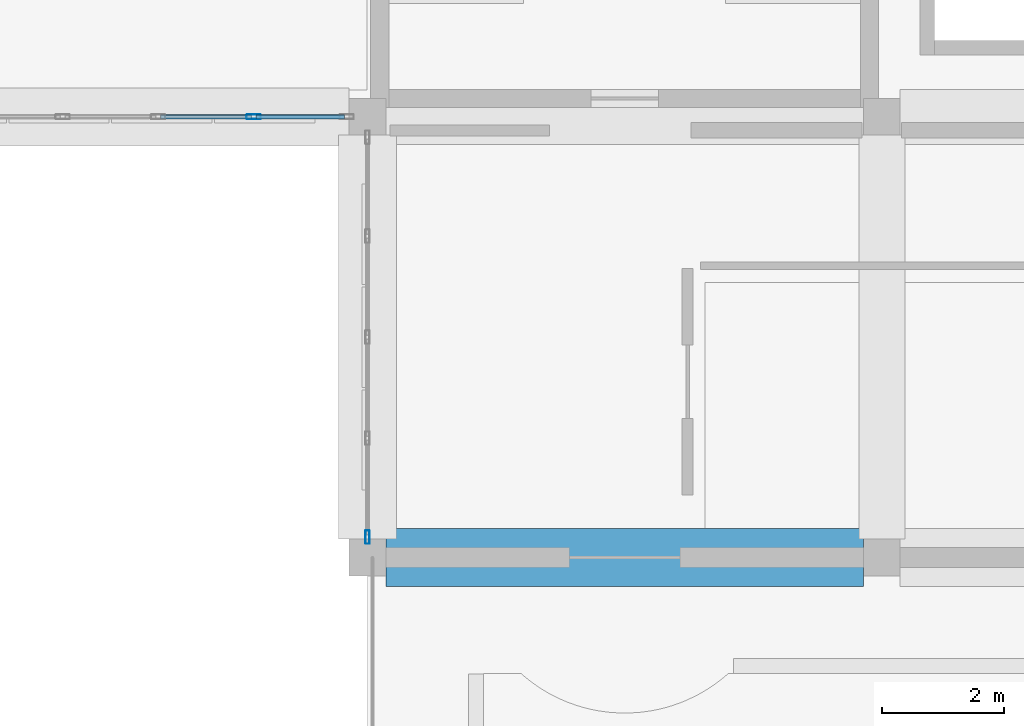
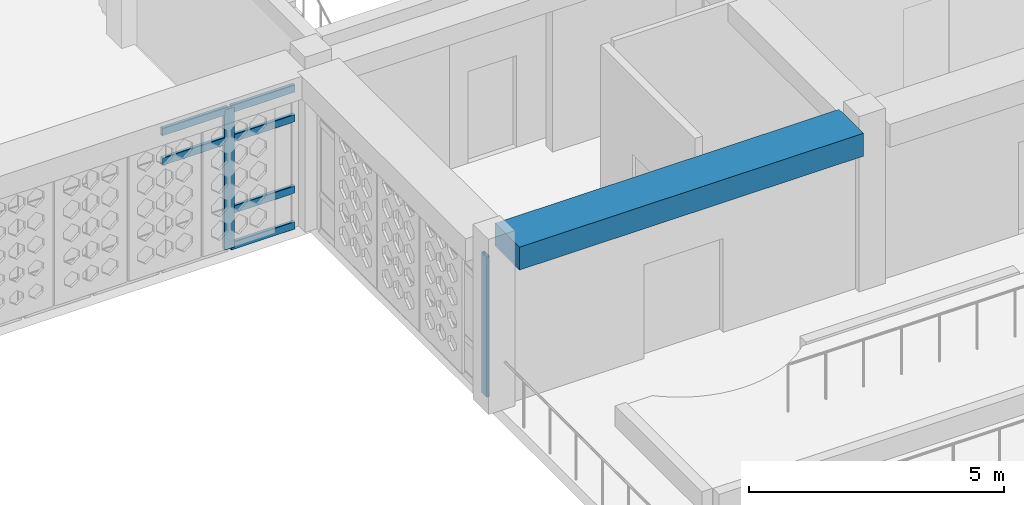
# One storey, part 3 of 48: 8 members, 1 beam, 2 elements without a shape of their own.
"""IFC4 building model written with IfcOpenShell, lengths in metres."""

from ifc_helpers import new_model, si_unit, derived_unit, direction, frame, origin, origin_2d, place, context, subcontext, project, spatial, rectangle, hollow_rectangle, extrude, material, material_profile, profile_set, type_object, element, aggregate, save


model = new_model("IFC4")

# Units and contexts
model_context = context("Model", 3, precision=1e-05, world=origin(), true_north=direction((0.0, 1.0)))
body_context = subcontext(model_context, "Body", "Model", "MODEL_VIEW")
ifc_project = project(units=[si_unit("LENGTHUNIT", "METRE"), si_unit("AREAUNIT", "SQUARE_METRE"), si_unit("VOLUMEUNIT", "CUBIC_METRE"), si_unit("PLANEANGLEUNIT", "RADIAN"), si_unit("MASSUNIT", "GRAM", prefix="KILO"), derived_unit("THERMALTRANSMITTANCEUNIT", [(si_unit("POWERUNIT", "WATT"), 1), (si_unit("LENGTHUNIT", "METRE"), -2), (si_unit("THERMODYNAMICTEMPERATUREUNIT", "KELVIN"), -1)])], contexts=[model_context])

# Site, building, storey
site_placement = place(None, origin())
site = spatial("IfcSite", under=ifc_project, at=site_placement, CompositionType="ELEMENT")
building_placement = place(site_placement, origin())
building = spatial("IfcBuilding", under=site, at=building_placement, Name="Veybourne Emporium", CompositionType="ELEMENT")
storey_placement = place(building_placement, frame((0.0, 0.0, 27.89990234375)))
storey = spatial("IfcBuildingStorey", under=building, at=storey_placement, Name="L06", CompositionType="ELEMENT", Elevation=27.89990234375)

# Curtain wall, member
ifc_material_1 = material(Name="Patinated Architectural Bronze", Category="bronze")
curtain_wall_type_1 = type_object("IfcCurtainWallType", Name="CWSystem_CWS-15", PredefinedType="NOTDEFINED", material=ifc_material_1)
curtain_wall_1_placement = place(storey_placement, origin())
curtain_wall_1 = element("IfcCurtainWall", 1, at=curtain_wall_1_placement, inside=storey, type_object=curtain_wall_type_1, Name="L06 bronze glazed curtain wall CWS-15 (008)", PredefinedType="NOTDEFINED")
ifc_material_profile_1 = material_profile(ifc_material_1, hollow_rectangle(XDim=0.077880859375, YDim=0.235107421875, WallThickness=0.0048828125, InnerFilletRadius=0.007568359375, OuterFilletRadius=0.012451171875, at=origin_2d()), Name="CWM 78x235x5")
ifc_profile_set_1 = profile_set([ifc_material_profile_1], Name="Patinated Architectural Bronze")
member_type_1 = type_object("IfcMemberType", Name="CWMullion_CW-M3", PredefinedType="MULLION", material=ifc_profile_set_1)
member_1_placement = place(storey_placement, frame((14.93994140625, 14.39990234375, 0.0), z_axis=(0.0, 0.0, 1.0), x_axis=(0.0, -1.0, 0.0)))
member_1 = element("IfcMember", 2, at=member_1_placement, type_object=member_type_1, Name="CWS-15 mullion 2", PredefinedType="MULLION", context=body_context, shape_type="SweptSolid", body=[
    extrude(hollow_rectangle(XDim=0.077880859375, YDim=0.235107421875, WallThickness=0.0048828125, InnerFilletRadius=0.007568359375, OuterFilletRadius=0.012451171875, at=origin_2d()), origin(), (0.0, 0.0, 1.0), 3.360107421875),
])

curtain_wall_type_2 = type_object("IfcCurtainWallType", Name="CWSystem_CWS-16", PredefinedType="NOTDEFINED", material=ifc_material_1)
curtain_wall_2_placement = place(storey_placement, origin())
curtain_wall_2 = element("IfcCurtainWall", 3, at=curtain_wall_2_placement, inside=storey, type_object=curtain_wall_type_2, Name="L06 bronze glazed curtain wall CWS-16 (011)", PredefinedType="NOTDEFINED")
ifc_material_profile_2 = material_profile(ifc_material_1, hollow_rectangle(XDim=0.070068359375, YDim=0.219970703125, WallThickness=0.0048828125, InnerFilletRadius=0.007568359375, OuterFilletRadius=0.012451171875, at=origin_2d()), Name="CWM 70x220x5")
ifc_profile_set_2 = profile_set([ifc_material_profile_2], Name="Patinated Architectural Bronze")
member_type_2 = type_object("IfcMemberType", Name="CWMullion_CW-M4", PredefinedType="MULLION", material=ifc_profile_set_2)
member_2_placement = place(storey_placement, frame((16.800048828125, 7.534912109375, 0.0), z_axis=(0.0, 0.0, 1.0), x_axis=(-1.0, 0.0, 0.0)))
member_2 = element("IfcMember", 4, at=member_2_placement, type_object=member_type_2, Name="CWS-16 mullion 1", PredefinedType="MULLION", context=body_context, shape_type="SweptSolid", body=[
    extrude(hollow_rectangle(XDim=0.070068359375, YDim=0.219970703125, WallThickness=0.0048828125, InnerFilletRadius=0.007568359375, OuterFilletRadius=0.012451171875, at=origin_2d()), origin(), (0.0, 0.0, 1.0), 3.360107421875),
])
aggregate(curtain_wall_2, [member_2])

# Member
ifc_material_profile_3 = material_profile(ifc_material_1, hollow_rectangle(XDim=0.077880859375, YDim=0.18505859375, WallThickness=0.0048828125, InnerFilletRadius=0.007568359375, OuterFilletRadius=0.012451171875, at=origin_2d()), Name="CWT 78x185x5")
ifc_profile_set_3 = profile_set([ifc_material_profile_3], Name="Patinated Architectural Bronze")
member_type_3 = type_object("IfcMemberType", Name="CWTransom_CW-T3", PredefinedType="NOTDEFINED", material=ifc_profile_set_3)
member_3_placement = place(storey_placement, frame((16.422119140625, 14.39990234375, 0.0390625), z_axis=(-1.0, 0.0, 0.0), x_axis=(0.0, -1.0, 0.0)))
member_3 = element("IfcMember", 5, at=member_3_placement, type_object=member_type_3, Name="CWS-15 transom 1.1", ObjectType="TRANSOM", PredefinedType="USERDEFINED", context=body_context, shape_type="SweptSolid", body=[
    extrude(hollow_rectangle(XDim=0.077880859375, YDim=0.18505859375, WallThickness=0.0048828125, InnerFilletRadius=0.007568359375, OuterFilletRadius=0.012451171875, at=origin_2d()), origin(), (0.0, 0.0, 1.0), 1.443115234375),
])

member_4_placement = place(storey_placement, frame((16.422119140625, 14.39990234375, 0.900146484375), z_axis=(-1.0, 0.0, 0.0), x_axis=(0.0, -1.0, 0.0)))
member_4 = element("IfcMember", 6, at=member_4_placement, type_object=member_type_3, Name="CWS-15 transom 1.2", ObjectType="TRANSOM", PredefinedType="USERDEFINED", context=body_context, shape_type="SweptSolid", body=[
    extrude(hollow_rectangle(XDim=0.077880859375, YDim=0.18505859375, WallThickness=0.0048828125, InnerFilletRadius=0.007568359375, OuterFilletRadius=0.012451171875, at=origin_2d()), origin(), (0.0, 0.0, 1.0), 1.443115234375),
])

member_5_placement = place(storey_placement, frame((16.422119140625, 14.39990234375, 2.610107421875), z_axis=(-1.0, 0.0, 0.0), x_axis=(0.0, -1.0, 0.0)))
member_5 = element("IfcMember", 7, at=member_5_placement, type_object=member_type_3, Name="CWS-15 transom 1.3", ObjectType="TRANSOM", PredefinedType="USERDEFINED", context=body_context, shape_type="SweptSolid", body=[
    extrude(hollow_rectangle(XDim=0.077880859375, YDim=0.18505859375, WallThickness=0.0048828125, InnerFilletRadius=0.007568359375, OuterFilletRadius=0.012451171875, at=origin_2d()), origin(), (0.0, 0.0, 1.0), 1.443115234375),
])

member_6_placement = place(storey_placement, frame((16.422119140625, 14.39990234375, 3.321044921875), z_axis=(-1.0, 0.0, 0.0), x_axis=(0.0, -1.0, 0.0)))
member_6 = element("IfcMember", 8, at=member_6_placement, type_object=member_type_3, Name="CWS-15 transom 1.4", ObjectType="TRANSOM", PredefinedType="USERDEFINED", context=body_context, shape_type="SweptSolid", body=[
    extrude(hollow_rectangle(XDim=0.077880859375, YDim=0.18505859375, WallThickness=0.0048828125, InnerFilletRadius=0.007568359375, OuterFilletRadius=0.012451171875, at=origin_2d()), origin(), (0.0, 0.0, 1.0), 1.443115234375),
])

member_7_placement = place(storey_placement, frame((14.90087890625, 14.39990234375, 2.610107421875), z_axis=(-1.0, 0.0, 0.0), x_axis=(0.0, -1.0, 0.0)))
member_7 = element("IfcMember", 9, at=member_7_placement, type_object=member_type_3, Name="CWS-15 transom 2.3", ObjectType="TRANSOM", PredefinedType="USERDEFINED", context=body_context, shape_type="SweptSolid", body=[
    extrude(hollow_rectangle(XDim=0.077880859375, YDim=0.18505859375, WallThickness=0.0048828125, InnerFilletRadius=0.007568359375, OuterFilletRadius=0.012451171875, at=origin_2d()), origin(), (0.0, 0.0, 1.0), 1.48193359375),
])

member_8_placement = place(storey_placement, frame((14.90087890625, 14.39990234375, 3.321044921875), z_axis=(-1.0, 0.0, 0.0), x_axis=(0.0, -1.0, 0.0)))
member_8 = element("IfcMember", 10, at=member_8_placement, type_object=member_type_3, Name="CWS-15 transom 2.4", ObjectType="TRANSOM", PredefinedType="USERDEFINED", context=body_context, shape_type="SweptSolid", body=[
    extrude(hollow_rectangle(XDim=0.077880859375, YDim=0.18505859375, WallThickness=0.0048828125, InnerFilletRadius=0.007568359375, OuterFilletRadius=0.012451171875, at=origin_2d()), origin(), (0.0, 0.0, 1.0), 1.48193359375),
])

aggregate(curtain_wall_1, [member_1, member_3, member_4, member_5, member_6, member_7, member_8])

# Beam
ifc_material_2 = material(Name="Concrete C32/40", Category="concrete")
ifc_material_profile_4 = material_profile(ifc_material_2, rectangle(XDim=0.949951171875, YDim=0.550048828125, at=origin_2d()), Name="RC 950x550")
ifc_profile_set_4 = profile_set([ifc_material_profile_4], Name="Concrete C32/40")
beam_type = type_object("IfcBeamType", Name="RCBeam_EB-01", PredefinedType="SPANDREL", material=ifc_profile_set_4)
beam_placement = place(storey_placement, frame((17.10009765625, 7.199951171875, 3.635009765625), z_axis=(1.0, 0.0, 0.0), x_axis=(0.0, 1.0, 0.0)))
element("IfcBeam", 11, at=beam_placement, inside=storey, type_object=beam_type, Name="L06 X-grid beam EB-01 (2,1)", PredefinedType="SPANDREL", context=body_context, shape_type="SweptSolid", body=[
    extrude(rectangle(XDim=0.949951171875, YDim=0.550048828125, at=origin_2d()), origin(), (0.0, 0.0, 1.0), 7.7998046875),
])

save(model, "model.ifc")
